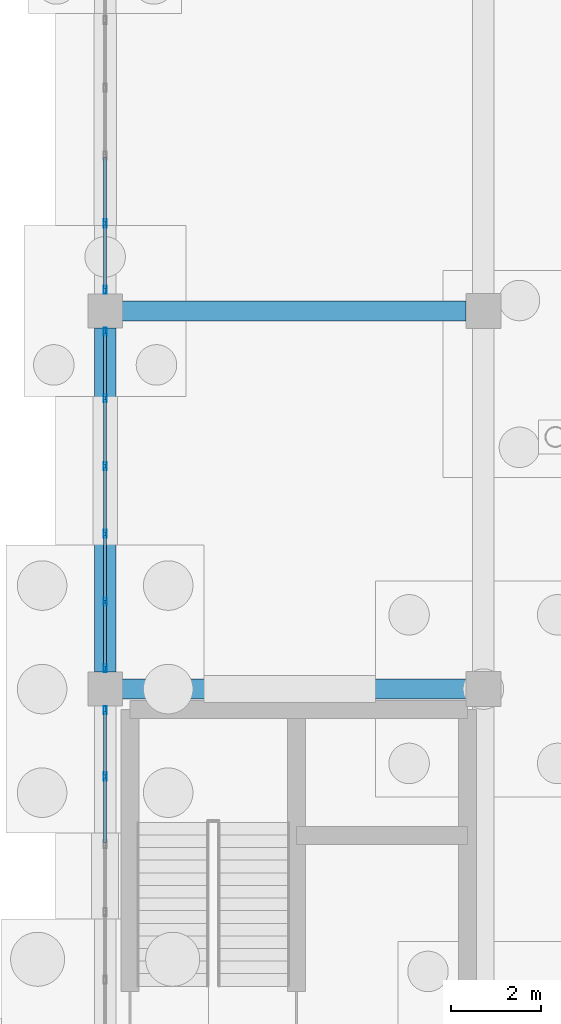
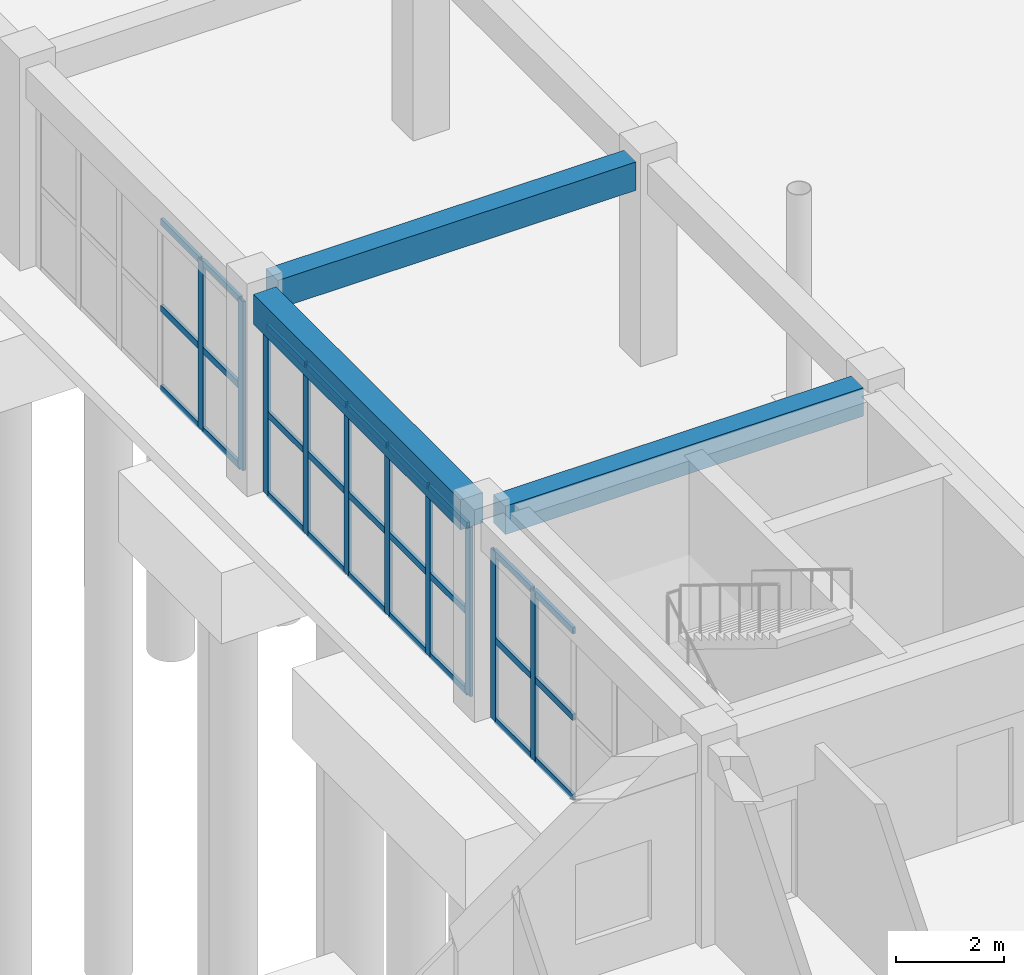
# One storey, part 125 of 192: 37 members, 3 beams, 3 elements without a shape of their own.
"""IFC4 building model written with IfcOpenShell, lengths in metres."""

from ifc_helpers import new_model, si_unit, direction, frame, origin, origin_2d, place, context, subcontext, project, spatial, rectangle, hollow_rectangle, extrude, material, layer, layer_set, material_profile, profile_set, type_object, element, aggregate, save


model = new_model("IFC4")

# Units and contexts
model_context = context("Model", 3, precision=1e-05, world=origin(), true_north=direction((0.0, 1.0)))
body_context = subcontext(model_context, "Body", "Model", "MODEL_VIEW")
ifc_project = project(units=[si_unit("LENGTHUNIT", "METRE"), si_unit("AREAUNIT", "SQUARE_METRE"), si_unit("VOLUMEUNIT", "CUBIC_METRE"), si_unit("PLANEANGLEUNIT", "RADIAN"), si_unit("MASSUNIT", "GRAM", prefix="KILO")], contexts=[model_context])

# Site, building, storey
site_placement = place(None, origin())
site = spatial("IfcSite", under=ifc_project, at=site_placement, CompositionType="ELEMENT")
building_placement = place(site_placement, origin())
building = spatial("IfcBuilding", under=site, at=building_placement, Name="Trelvath General Hospital", CompositionType="ELEMENT")
storey_placement = place(building_placement, origin())
storey = spatial("IfcBuildingStorey", under=building, at=storey_placement, Name="L00", CompositionType="ELEMENT", Elevation=0.0)

# Beams
ifc_material_1 = material(Name="Concrete C35/45", Category="concrete")
ifc_material_profile_1 = material_profile(ifc_material_1, rectangle(XDim=0.43994140625, YDim=0.639892578125, at=origin_2d()), Name="RCB440x640")
ifc_profile_set_1 = profile_set([ifc_material_profile_1], Name="Concrete C35/45")
beam_type_1 = type_object("IfcBeamType", Name="Beam RC440x640", PredefinedType="BEAM", material=ifc_profile_set_1)
for number, where, z_axis, x_axis, name in (
    (1, (134.77490234375, 33.60009765625, 4.199951171875), (1.0, 0.0, 0.0), (0.0, 1.0, 0.0), "Grid Beam BX-016E"),
    (2, (134.77490234375, 42.0, 4.199951171875), (1.0, 0.0, 0.0), (0.0, 1.0, 0.0), "Grid Beam BX-016F"),
):
    element("IfcBeam", number, at=place(storey_placement, frame(where, z_axis=z_axis, x_axis=x_axis)), inside=storey, type_object=beam_type_1, Name=name, PredefinedType="BEAM", context=body_context, shape_type="SweptSolid", body=[
        extrude(rectangle(XDim=0.43994140625, YDim=0.639892578125, at=origin_2d()), origin(), (0.0, 0.0, 1.0), 7.64013671875),
    ])
ifc_material_2 = material(Name="Concrete C35/45", Category="concrete")
ifc_material_profile_2 = material_profile(ifc_material_2, rectangle(XDim=0.47998046875, YDim=0.679931640625, at=origin_2d()), Name="RCB480x680")
ifc_profile_set_2 = profile_set([ifc_material_profile_2], Name="Concrete C35/45")
beam_type_2 = type_object("IfcBeamType", Name="Beam RC480x680", PredefinedType="BEAM", material=ifc_profile_set_2)
beam_placement = place(storey_placement, frame((134.39990234375, 33.97509765625, 4.179931640625), z_axis=(0.0, 1.0, 0.0), x_axis=(-1.0, 0.0, 0.0)))
element("IfcBeam", 3, at=beam_placement, inside=storey, type_object=beam_type_2, Name="Grid Beam BY-016E", PredefinedType="BEAM", context=body_context, shape_type="SweptSolid", body=[
    extrude(rectangle(XDim=0.47998046875, YDim=0.679931640625, at=origin_2d()), origin(), (0.0, 0.0, 1.0), 7.64990234375),
])

# Curtain wall, members
ifc_material_3 = material(Name="Anodised aluminium and low-E glass", Category="aluminium")
ifc_layer = layer(ifc_material_3, 0.179931640625)
ifc_layer_set = layer_set([ifc_layer], Name="Anodised aluminium and low-E glass")
curtain_wall_type = type_object("IfcCurtainWallType", Name="CW Facade 753 382 18", PredefinedType="USERDEFINED", material=ifc_layer_set)
curtain_wall_1_placement = place(storey_placement, origin())
curtain_wall_1 = element("IfcCurtainWall", 4, at=curtain_wall_1_placement, inside=storey, type_object=curtain_wall_type, Name="Facade Curtain Wall CW-004", ObjectType="Unitised Glazed Curtain Wall", PredefinedType="USERDEFINED")
ifc_material_4 = material(Name="Anodised aluminium", Category="aluminium")
ifc_material_profile_3 = material_profile(ifc_material_4, hollow_rectangle(XDim=0.06494140625, YDim=0.179931640625, WallThickness=0.0048828125, at=origin_2d()), Name="RHS65x180x5")
ifc_profile_set_3 = profile_set([ifc_material_profile_3], Name="Anodised aluminium")
member_type_1 = type_object("IfcMemberType", Name="CurtainMullion 65x180", PredefinedType="MULLION", material=ifc_profile_set_3)
member_1_placement = place(storey_placement, frame((134.39990234375, 31.658935546875, 0.0), z_axis=(0.0, 0.0, 1.0), x_axis=(-1.0, 0.0, 0.0)))
member_1 = element("IfcMember", 5, at=member_1_placement, type_object=member_type_1, Name="CW-004 mullion 5", PredefinedType="MULLION", context=body_context, shape_type="SweptSolid", body=[
    extrude(hollow_rectangle(XDim=0.06494140625, YDim=0.179931640625, WallThickness=0.0048828125, at=origin_2d()), origin(), (0.0, 0.0, 1.0), 3.820068359375),
])
member_2_placement = place(storey_placement, frame((134.39990234375, 33.132568359375, 0.0), z_axis=(0.0, 0.0, 1.0), x_axis=(-1.0, 0.0, 0.0)))
member_2 = element("IfcMember", 6, at=member_2_placement, type_object=member_type_1, Name="CW-004 mullion 6", PredefinedType="MULLION", context=body_context, shape_type="SweptSolid", body=[
    extrude(hollow_rectangle(XDim=0.06494140625, YDim=0.179931640625, WallThickness=0.0048828125, at=origin_2d()), origin(), (0.0, 0.0, 1.0), 3.820068359375),
])

curtain_wall_2_placement = place(storey_placement, origin())
curtain_wall_2 = element("IfcCurtainWall", 7, at=curtain_wall_2_placement, inside=storey, type_object=curtain_wall_type, Name="Facade Curtain Wall CW-005", ObjectType="Unitised Glazed Curtain Wall", PredefinedType="USERDEFINED")
member_3_placement = place(storey_placement, frame((134.39990234375, 34.0673828125, 0.0), z_axis=(0.0, 0.0, 1.0), x_axis=(-1.0, 0.0, 0.0)))
member_3 = element("IfcMember", 8, at=member_3_placement, type_object=member_type_1, Name="CW-005 mullion 1", PredefinedType="MULLION", context=body_context, shape_type="SweptSolid", body=[
    extrude(hollow_rectangle(XDim=0.06494140625, YDim=0.179931640625, WallThickness=0.0048828125, at=origin_2d()), origin(), (0.0, 0.0, 1.0), 3.820068359375),
])
member_4_placement = place(storey_placement, frame((134.39990234375, 35.541015625, 0.0), z_axis=(0.0, 0.0, 1.0), x_axis=(-1.0, 0.0, 0.0)))
member_4 = element("IfcMember", 9, at=member_4_placement, type_object=member_type_1, Name="CW-005 mullion 2", PredefinedType="MULLION", context=body_context, shape_type="SweptSolid", body=[
    extrude(hollow_rectangle(XDim=0.06494140625, YDim=0.179931640625, WallThickness=0.0048828125, at=origin_2d()), origin(), (0.0, 0.0, 1.0), 3.820068359375),
])
member_5_placement = place(storey_placement, frame((134.39990234375, 37.047119140625, 0.0), z_axis=(0.0, 0.0, 1.0), x_axis=(-1.0, 0.0, 0.0)))
member_5 = element("IfcMember", 10, at=member_5_placement, type_object=member_type_1, Name="CW-005 mullion 3", PredefinedType="MULLION", context=body_context, shape_type="SweptSolid", body=[
    extrude(hollow_rectangle(XDim=0.06494140625, YDim=0.179931640625, WallThickness=0.0048828125, at=origin_2d()), origin(), (0.0, 0.0, 1.0), 3.820068359375),
])
member_6_placement = place(storey_placement, frame((134.39990234375, 38.552978515625, 0.0), z_axis=(0.0, 0.0, 1.0), x_axis=(-1.0, 0.0, 0.0)))
member_6 = element("IfcMember", 11, at=member_6_placement, type_object=member_type_1, Name="CW-005 mullion 4", PredefinedType="MULLION", context=body_context, shape_type="SweptSolid", body=[
    extrude(hollow_rectangle(XDim=0.06494140625, YDim=0.179931640625, WallThickness=0.0048828125, at=origin_2d()), origin(), (0.0, 0.0, 1.0), 3.820068359375),
])
member_7_placement = place(storey_placement, frame((134.39990234375, 40.05908203125, 0.0), z_axis=(0.0, 0.0, 1.0), x_axis=(-1.0, 0.0, 0.0)))
member_7 = element("IfcMember", 12, at=member_7_placement, type_object=member_type_1, Name="CW-005 mullion 5", PredefinedType="MULLION", context=body_context, shape_type="SweptSolid", body=[
    extrude(hollow_rectangle(XDim=0.06494140625, YDim=0.179931640625, WallThickness=0.0048828125, at=origin_2d()), origin(), (0.0, 0.0, 1.0), 3.820068359375),
])
member_8_placement = place(storey_placement, frame((134.39990234375, 41.532470703125, 0.0), z_axis=(0.0, 0.0, 1.0), x_axis=(-1.0, 0.0, 0.0)))
member_8 = element("IfcMember", 13, at=member_8_placement, type_object=member_type_1, Name="CW-005 mullion 6", PredefinedType="MULLION", context=body_context, shape_type="SweptSolid", body=[
    extrude(hollow_rectangle(XDim=0.06494140625, YDim=0.179931640625, WallThickness=0.0048828125, at=origin_2d()), origin(), (0.0, 0.0, 1.0), 3.820068359375),
])

curtain_wall_3_placement = place(storey_placement, origin())
curtain_wall_3 = element("IfcCurtainWall", 14, at=curtain_wall_3_placement, inside=storey, type_object=curtain_wall_type, Name="Facade Curtain Wall CW-006", ObjectType="Unitised Glazed Curtain Wall", PredefinedType="USERDEFINED")
member_9_placement = place(storey_placement, frame((134.39990234375, 42.467529296875, 0.0), z_axis=(0.0, 0.0, 1.0), x_axis=(-1.0, 0.0, 0.0)))
member_9 = element("IfcMember", 15, at=member_9_placement, type_object=member_type_1, Name="CW-006 mullion 1", PredefinedType="MULLION", context=body_context, shape_type="SweptSolid", body=[
    extrude(hollow_rectangle(XDim=0.06494140625, YDim=0.179931640625, WallThickness=0.0048828125, at=origin_2d()), origin(), (0.0, 0.0, 1.0), 3.820068359375),
])
member_10_placement = place(storey_placement, frame((134.39990234375, 43.94091796875, 0.0), z_axis=(0.0, 0.0, 1.0), x_axis=(-1.0, 0.0, 0.0)))
member_10 = element("IfcMember", 16, at=member_10_placement, type_object=member_type_1, Name="CW-006 mullion 2", PredefinedType="MULLION", context=body_context, shape_type="SweptSolid", body=[
    extrude(hollow_rectangle(XDim=0.06494140625, YDim=0.179931640625, WallThickness=0.0048828125, at=origin_2d()), origin(), (0.0, 0.0, 1.0), 3.820068359375),
])

# Member
ifc_material_5 = material(Name="Anodised aluminium", Category="aluminium")
ifc_material_profile_4 = material_profile(ifc_material_5, hollow_rectangle(XDim=0.06494140625, YDim=0.14501953125, WallThickness=0.00390625, at=origin_2d()), Name="RHS65x145x4")
ifc_profile_set_4 = profile_set([ifc_material_profile_4], Name="Anodised aluminium")
member_type_2 = type_object("IfcMemberType", Name="CurtainTransom 65x145", PredefinedType="USERDEFINED", material=ifc_profile_set_4)
member_11_placement = place(storey_placement, frame((134.39990234375, 30.185546875, 0.032470703125), z_axis=(0.0, 1.0, 0.0), x_axis=(-1.0, 0.0, 0.0)))
member_11 = element("IfcMember", 17, at=member_11_placement, type_object=member_type_2, Name="CW-004 transom 4.1", ObjectType="TRANSOM", PredefinedType="USERDEFINED", context=body_context, shape_type="SweptSolid", body=[
    extrude(hollow_rectangle(XDim=0.06494140625, YDim=0.14501953125, WallThickness=0.00390625, at=origin_2d()), origin(), (0.0, 0.0, 1.0), 1.44091796875),
])

member_12_placement = place(storey_placement, frame((134.39990234375, 30.185546875, 1.833984375), z_axis=(0.0, 1.0, 0.0), x_axis=(-1.0, 0.0, 0.0)))
member_12 = element("IfcMember", 18, at=member_12_placement, type_object=member_type_2, Name="CW-004 transom 4.2", ObjectType="TRANSOM", PredefinedType="USERDEFINED", context=body_context, shape_type="SweptSolid", body=[
    extrude(hollow_rectangle(XDim=0.06494140625, YDim=0.14501953125, WallThickness=0.00390625, at=origin_2d()), origin(), (0.0, 0.0, 1.0), 1.44091796875),
])

member_13_placement = place(storey_placement, frame((134.39990234375, 30.185546875, 3.78759765625), z_axis=(0.0, 1.0, 0.0), x_axis=(-1.0, 0.0, 0.0)))
member_13 = element("IfcMember", 19, at=member_13_placement, type_object=member_type_2, Name="CW-004 transom 4.3", ObjectType="TRANSOM", PredefinedType="USERDEFINED", context=body_context, shape_type="SweptSolid", body=[
    extrude(hollow_rectangle(XDim=0.06494140625, YDim=0.14501953125, WallThickness=0.00390625, at=origin_2d()), origin(), (0.0, 0.0, 1.0), 1.44091796875),
])

member_14_placement = place(storey_placement, frame((134.39990234375, 31.69140625, 0.032470703125), z_axis=(0.0, 1.0, 0.0), x_axis=(-1.0, 0.0, 0.0)))
member_14 = element("IfcMember", 20, at=member_14_placement, type_object=member_type_2, Name="CW-004 transom 5.1", ObjectType="TRANSOM", PredefinedType="USERDEFINED", context=body_context, shape_type="SweptSolid", body=[
    extrude(hollow_rectangle(XDim=0.06494140625, YDim=0.14501953125, WallThickness=0.00390625, at=origin_2d()), origin(), (0.0, 0.0, 1.0), 1.40869140625),
])

member_15_placement = place(storey_placement, frame((134.39990234375, 31.69140625, 1.833984375), z_axis=(0.0, 1.0, 0.0), x_axis=(-1.0, 0.0, 0.0)))
member_15 = element("IfcMember", 21, at=member_15_placement, type_object=member_type_2, Name="CW-004 transom 5.2", ObjectType="TRANSOM", PredefinedType="USERDEFINED", context=body_context, shape_type="SweptSolid", body=[
    extrude(hollow_rectangle(XDim=0.06494140625, YDim=0.14501953125, WallThickness=0.00390625, at=origin_2d()), origin(), (0.0, 0.0, 1.0), 1.40869140625),
])

member_16_placement = place(storey_placement, frame((134.39990234375, 31.69140625, 3.78759765625), z_axis=(0.0, 1.0, 0.0), x_axis=(-1.0, 0.0, 0.0)))
member_16 = element("IfcMember", 22, at=member_16_placement, type_object=member_type_2, Name="CW-004 transom 5.3", ObjectType="TRANSOM", PredefinedType="USERDEFINED", context=body_context, shape_type="SweptSolid", body=[
    extrude(hollow_rectangle(XDim=0.06494140625, YDim=0.14501953125, WallThickness=0.00390625, at=origin_2d()), origin(), (0.0, 0.0, 1.0), 1.40869140625),
])

aggregate(curtain_wall_1, [member_1, member_2, member_11, member_12, member_13, member_14, member_15, member_16])

member_17_placement = place(storey_placement, frame((134.39990234375, 34.10009765625, 0.032470703125), z_axis=(0.0, 1.0, 0.0), x_axis=(-1.0, 0.0, 0.0)))
member_17 = element("IfcMember", 23, at=member_17_placement, type_object=member_type_2, Name="CW-005 transom 1.1", ObjectType="TRANSOM", PredefinedType="USERDEFINED", context=body_context, shape_type="SweptSolid", body=[
    extrude(hollow_rectangle(XDim=0.06494140625, YDim=0.14501953125, WallThickness=0.00390625, at=origin_2d()), origin(), (0.0, 0.0, 1.0), 1.408447265625),
])

member_18_placement = place(storey_placement, frame((134.39990234375, 34.10009765625, 1.833984375), z_axis=(0.0, 1.0, 0.0), x_axis=(-1.0, 0.0, 0.0)))
member_18 = element("IfcMember", 24, at=member_18_placement, type_object=member_type_2, Name="CW-005 transom 1.2", ObjectType="TRANSOM", PredefinedType="USERDEFINED", context=body_context, shape_type="SweptSolid", body=[
    extrude(hollow_rectangle(XDim=0.06494140625, YDim=0.14501953125, WallThickness=0.00390625, at=origin_2d()), origin(), (0.0, 0.0, 1.0), 1.408447265625),
])

member_19_placement = place(storey_placement, frame((134.39990234375, 34.10009765625, 3.78759765625), z_axis=(0.0, 1.0, 0.0), x_axis=(-1.0, 0.0, 0.0)))
member_19 = element("IfcMember", 25, at=member_19_placement, type_object=member_type_2, Name="CW-005 transom 1.3", ObjectType="TRANSOM", PredefinedType="USERDEFINED", context=body_context, shape_type="SweptSolid", body=[
    extrude(hollow_rectangle(XDim=0.06494140625, YDim=0.14501953125, WallThickness=0.00390625, at=origin_2d()), origin(), (0.0, 0.0, 1.0), 1.408447265625),
])

member_20_placement = place(storey_placement, frame((134.39990234375, 35.573486328125, 0.032470703125), z_axis=(0.0, 1.0, 0.0), x_axis=(-1.0, 0.0, 0.0)))
member_20 = element("IfcMember", 26, at=member_20_placement, type_object=member_type_2, Name="CW-005 transom 2.1", ObjectType="TRANSOM", PredefinedType="USERDEFINED", context=body_context, shape_type="SweptSolid", body=[
    extrude(hollow_rectangle(XDim=0.06494140625, YDim=0.14501953125, WallThickness=0.00390625, at=origin_2d()), origin(), (0.0, 0.0, 1.0), 1.44091796875),
])

member_21_placement = place(storey_placement, frame((134.39990234375, 35.573486328125, 1.833984375), z_axis=(0.0, 1.0, 0.0), x_axis=(-1.0, 0.0, 0.0)))
member_21 = element("IfcMember", 27, at=member_21_placement, type_object=member_type_2, Name="CW-005 transom 2.2", ObjectType="TRANSOM", PredefinedType="USERDEFINED", context=body_context, shape_type="SweptSolid", body=[
    extrude(hollow_rectangle(XDim=0.06494140625, YDim=0.14501953125, WallThickness=0.00390625, at=origin_2d()), origin(), (0.0, 0.0, 1.0), 1.44091796875),
])

member_22_placement = place(storey_placement, frame((134.39990234375, 35.573486328125, 3.78759765625), z_axis=(0.0, 1.0, 0.0), x_axis=(-1.0, 0.0, 0.0)))
member_22 = element("IfcMember", 28, at=member_22_placement, type_object=member_type_2, Name="CW-005 transom 2.3", ObjectType="TRANSOM", PredefinedType="USERDEFINED", context=body_context, shape_type="SweptSolid", body=[
    extrude(hollow_rectangle(XDim=0.06494140625, YDim=0.14501953125, WallThickness=0.00390625, at=origin_2d()), origin(), (0.0, 0.0, 1.0), 1.44091796875),
])

member_23_placement = place(storey_placement, frame((134.39990234375, 37.07958984375, 0.032470703125), z_axis=(0.0, 1.0, 0.0), x_axis=(-1.0, 0.0, 0.0)))
member_23 = element("IfcMember", 29, at=member_23_placement, type_object=member_type_2, Name="CW-005 transom 3.1", ObjectType="TRANSOM", PredefinedType="USERDEFINED", context=body_context, shape_type="SweptSolid", body=[
    extrude(hollow_rectangle(XDim=0.06494140625, YDim=0.14501953125, WallThickness=0.00390625, at=origin_2d()), origin(), (0.0, 0.0, 1.0), 1.44091796875),
])

member_24_placement = place(storey_placement, frame((134.39990234375, 37.07958984375, 1.833984375), z_axis=(0.0, 1.0, 0.0), x_axis=(-1.0, 0.0, 0.0)))
member_24 = element("IfcMember", 30, at=member_24_placement, type_object=member_type_2, Name="CW-005 transom 3.2", ObjectType="TRANSOM", PredefinedType="USERDEFINED", context=body_context, shape_type="SweptSolid", body=[
    extrude(hollow_rectangle(XDim=0.06494140625, YDim=0.14501953125, WallThickness=0.00390625, at=origin_2d()), origin(), (0.0, 0.0, 1.0), 1.44091796875),
])

member_25_placement = place(storey_placement, frame((134.39990234375, 37.07958984375, 3.78759765625), z_axis=(0.0, 1.0, 0.0), x_axis=(-1.0, 0.0, 0.0)))
member_25 = element("IfcMember", 31, at=member_25_placement, type_object=member_type_2, Name="CW-005 transom 3.3", ObjectType="TRANSOM", PredefinedType="USERDEFINED", context=body_context, shape_type="SweptSolid", body=[
    extrude(hollow_rectangle(XDim=0.06494140625, YDim=0.14501953125, WallThickness=0.00390625, at=origin_2d()), origin(), (0.0, 0.0, 1.0), 1.44091796875),
])

member_26_placement = place(storey_placement, frame((134.39990234375, 38.58544921875, 0.032470703125), z_axis=(0.0, 1.0, 0.0), x_axis=(-1.0, 0.0, 0.0)))
member_26 = element("IfcMember", 32, at=member_26_placement, type_object=member_type_2, Name="CW-005 transom 4.1", ObjectType="TRANSOM", PredefinedType="USERDEFINED", context=body_context, shape_type="SweptSolid", body=[
    extrude(hollow_rectangle(XDim=0.06494140625, YDim=0.14501953125, WallThickness=0.00390625, at=origin_2d()), origin(), (0.0, 0.0, 1.0), 1.441162109375),
])

member_27_placement = place(storey_placement, frame((134.39990234375, 38.58544921875, 1.833984375), z_axis=(0.0, 1.0, 0.0), x_axis=(-1.0, 0.0, 0.0)))
member_27 = element("IfcMember", 33, at=member_27_placement, type_object=member_type_2, Name="CW-005 transom 4.2", ObjectType="TRANSOM", PredefinedType="USERDEFINED", context=body_context, shape_type="SweptSolid", body=[
    extrude(hollow_rectangle(XDim=0.06494140625, YDim=0.14501953125, WallThickness=0.00390625, at=origin_2d()), origin(), (0.0, 0.0, 1.0), 1.441162109375),
])

member_28_placement = place(storey_placement, frame((134.39990234375, 38.58544921875, 3.78759765625), z_axis=(0.0, 1.0, 0.0), x_axis=(-1.0, 0.0, 0.0)))
member_28 = element("IfcMember", 34, at=member_28_placement, type_object=member_type_2, Name="CW-005 transom 4.3", ObjectType="TRANSOM", PredefinedType="USERDEFINED", context=body_context, shape_type="SweptSolid", body=[
    extrude(hollow_rectangle(XDim=0.06494140625, YDim=0.14501953125, WallThickness=0.00390625, at=origin_2d()), origin(), (0.0, 0.0, 1.0), 1.441162109375),
])

member_29_placement = place(storey_placement, frame((134.39990234375, 40.091552734375, 0.032470703125), z_axis=(0.0, 1.0, 0.0), x_axis=(-1.0, 0.0, 0.0)))
member_29 = element("IfcMember", 35, at=member_29_placement, type_object=member_type_2, Name="CW-005 transom 5.1", ObjectType="TRANSOM", PredefinedType="USERDEFINED", context=body_context, shape_type="SweptSolid", body=[
    extrude(hollow_rectangle(XDim=0.06494140625, YDim=0.14501953125, WallThickness=0.00390625, at=origin_2d()), origin(), (0.0, 0.0, 1.0), 1.408447265625),
])

member_30_placement = place(storey_placement, frame((134.39990234375, 40.091552734375, 1.833984375), z_axis=(0.0, 1.0, 0.0), x_axis=(-1.0, 0.0, 0.0)))
member_30 = element("IfcMember", 36, at=member_30_placement, type_object=member_type_2, Name="CW-005 transom 5.2", ObjectType="TRANSOM", PredefinedType="USERDEFINED", context=body_context, shape_type="SweptSolid", body=[
    extrude(hollow_rectangle(XDim=0.06494140625, YDim=0.14501953125, WallThickness=0.00390625, at=origin_2d()), origin(), (0.0, 0.0, 1.0), 1.408447265625),
])

member_31_placement = place(storey_placement, frame((134.39990234375, 40.091552734375, 3.78759765625), z_axis=(0.0, 1.0, 0.0), x_axis=(-1.0, 0.0, 0.0)))
member_31 = element("IfcMember", 37, at=member_31_placement, type_object=member_type_2, Name="CW-005 transom 5.3", ObjectType="TRANSOM", PredefinedType="USERDEFINED", context=body_context, shape_type="SweptSolid", body=[
    extrude(hollow_rectangle(XDim=0.06494140625, YDim=0.14501953125, WallThickness=0.00390625, at=origin_2d()), origin(), (0.0, 0.0, 1.0), 1.408447265625),
])

aggregate(curtain_wall_2, [member_3, member_4, member_5, member_6, member_7, member_8, member_17, member_18, member_19, member_20, member_21, member_22, member_23, member_24, member_25, member_26, member_27, member_28, member_29, member_30, member_31])

member_32_placement = place(storey_placement, frame((134.39990234375, 42.5, 0.032470703125), z_axis=(0.0, 1.0, 0.0), x_axis=(-1.0, 0.0, 0.0)))
member_32 = element("IfcMember", 38, at=member_32_placement, type_object=member_type_2, Name="CW-006 transom 1.1", ObjectType="TRANSOM", PredefinedType="USERDEFINED", context=body_context, shape_type="SweptSolid", body=[
    extrude(hollow_rectangle(XDim=0.06494140625, YDim=0.14501953125, WallThickness=0.00390625, at=origin_2d()), origin(), (0.0, 0.0, 1.0), 1.408447265625),
])

member_33_placement = place(storey_placement, frame((134.39990234375, 42.5, 1.833984375), z_axis=(0.0, 1.0, 0.0), x_axis=(-1.0, 0.0, 0.0)))
member_33 = element("IfcMember", 39, at=member_33_placement, type_object=member_type_2, Name="CW-006 transom 1.2", ObjectType="TRANSOM", PredefinedType="USERDEFINED", context=body_context, shape_type="SweptSolid", body=[
    extrude(hollow_rectangle(XDim=0.06494140625, YDim=0.14501953125, WallThickness=0.00390625, at=origin_2d()), origin(), (0.0, 0.0, 1.0), 1.408447265625),
])

member_34_placement = place(storey_placement, frame((134.39990234375, 42.5, 3.78759765625), z_axis=(0.0, 1.0, 0.0), x_axis=(-1.0, 0.0, 0.0)))
member_34 = element("IfcMember", 40, at=member_34_placement, type_object=member_type_2, Name="CW-006 transom 1.3", ObjectType="TRANSOM", PredefinedType="USERDEFINED", context=body_context, shape_type="SweptSolid", body=[
    extrude(hollow_rectangle(XDim=0.06494140625, YDim=0.14501953125, WallThickness=0.00390625, at=origin_2d()), origin(), (0.0, 0.0, 1.0), 1.408447265625),
])

member_35_placement = place(storey_placement, frame((134.39990234375, 43.973388671875, 0.032470703125), z_axis=(0.0, 1.0, 0.0), x_axis=(-1.0, 0.0, 0.0)))
member_35 = element("IfcMember", 41, at=member_35_placement, type_object=member_type_2, Name="CW-006 transom 2.1", ObjectType="TRANSOM", PredefinedType="USERDEFINED", context=body_context, shape_type="SweptSolid", body=[
    extrude(hollow_rectangle(XDim=0.06494140625, YDim=0.14501953125, WallThickness=0.00390625, at=origin_2d()), origin(), (0.0, 0.0, 1.0), 1.441162109375),
])

member_36_placement = place(storey_placement, frame((134.39990234375, 43.973388671875, 1.833984375), z_axis=(0.0, 1.0, 0.0), x_axis=(-1.0, 0.0, 0.0)))
member_36 = element("IfcMember", 42, at=member_36_placement, type_object=member_type_2, Name="CW-006 transom 2.2", ObjectType="TRANSOM", PredefinedType="USERDEFINED", context=body_context, shape_type="SweptSolid", body=[
    extrude(hollow_rectangle(XDim=0.06494140625, YDim=0.14501953125, WallThickness=0.00390625, at=origin_2d()), origin(), (0.0, 0.0, 1.0), 1.441162109375),
])

member_37_placement = place(storey_placement, frame((134.39990234375, 43.973388671875, 3.78759765625), z_axis=(0.0, 1.0, 0.0), x_axis=(-1.0, 0.0, 0.0)))
member_37 = element("IfcMember", 43, at=member_37_placement, type_object=member_type_2, Name="CW-006 transom 2.3", ObjectType="TRANSOM", PredefinedType="USERDEFINED", context=body_context, shape_type="SweptSolid", body=[
    extrude(hollow_rectangle(XDim=0.06494140625, YDim=0.14501953125, WallThickness=0.00390625, at=origin_2d()), origin(), (0.0, 0.0, 1.0), 1.441162109375),
])

aggregate(curtain_wall_3, [member_9, member_10, member_32, member_33, member_34, member_35, member_36, member_37])

save(model, "model.ifc")
